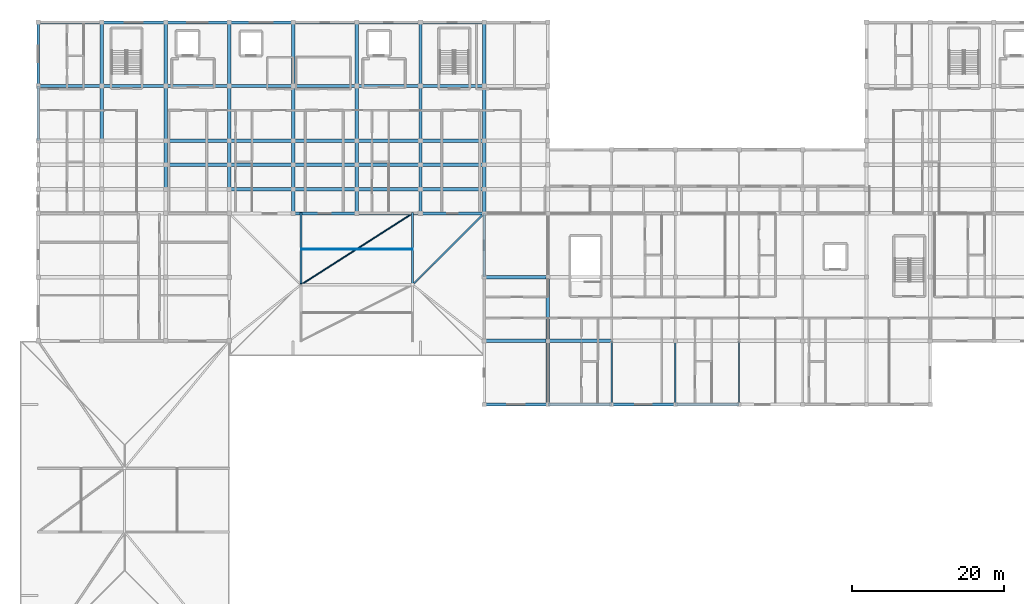
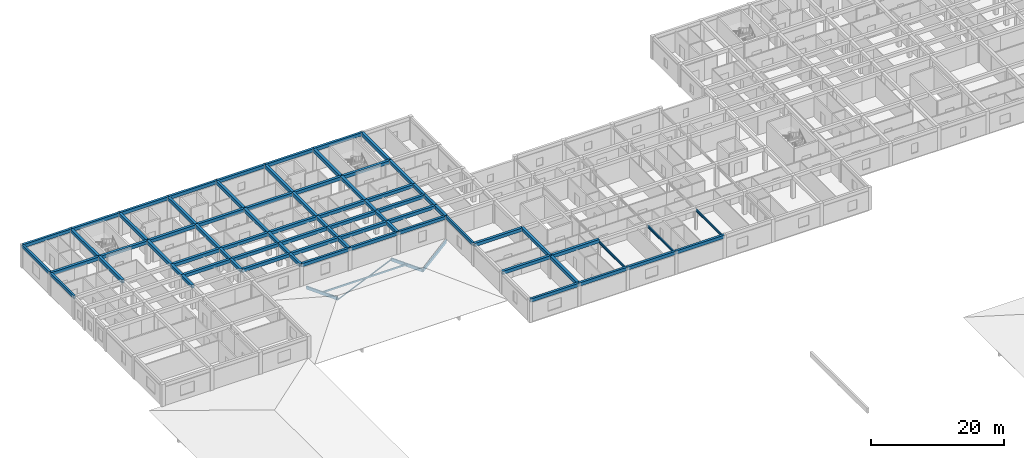
# One storey, part 7 of 42: 76 beams, 5 members.
"""IFC4 building model written with IfcOpenShell, lengths in metres."""

from ifc_helpers import new_model, si_unit, direction, frame, origin, origin_2d, place, context, subcontext, project, spatial, rectangle, hollow_circle, i_section, extrude, material, material_profile, profile_set, type_object, element, save


model = new_model("IFC4")

# Units and contexts
model_context = context("Model", 3, precision=1e-05, world=origin(), true_north=direction((0.0, 1.0)))
body_context = subcontext(model_context, "Body", "Model", "MODEL_VIEW")
ifc_project = project(units=[si_unit("LENGTHUNIT", "METRE"), si_unit("AREAUNIT", "SQUARE_METRE"), si_unit("VOLUMEUNIT", "CUBIC_METRE"), si_unit("PLANEANGLEUNIT", "RADIAN"), si_unit("MASSUNIT", "GRAM", prefix="KILO")], contexts=[model_context])

# Site, building, storey
site_placement = place(None, origin())
site = spatial("IfcSite", under=ifc_project, at=site_placement, CompositionType="ELEMENT")
building_placement = place(site_placement, origin())
building = spatial("IfcBuilding", under=site, at=building_placement, Name="Varncliffe General Hospital", CompositionType="ELEMENT")
storey_placement = place(building_placement, frame((0.0, 0.0, 20.39990234375)))
storey = spatial("IfcBuildingStorey", under=building, at=storey_placement, Name="L04", CompositionType="ELEMENT", Elevation=20.39990234375)

# Beams
ifc_material_1 = material(Name="Steel S355 (CSA G40.21 350W)", Category="steel")
ifc_material_profile_1 = material_profile(ifc_material_1, i_section(OverallWidth=0.179931640625, OverallDepth=0.4130859375, WebThickness=0.009765625, FlangeThickness=0.01611328125, FilletRadius=0.011962890625, at=origin_2d()), Name="W410x74")
ifc_profile_set_1 = profile_set([ifc_material_profile_1], Name="Steel S355 (CSA G40.21 350W)")
beam_type_1 = type_object("IfcBeamType", Name="Beam B11 (Int W410x74)", PredefinedType="BEAM", material=ifc_profile_set_1)
for number, where, z_axis, x_axis, name in (
    (1, (75.60009765625, 74.39990234375, 3.633544921875), (0.0, 1.0, 0.0), (-1.0, 0.0, 0.0), "L04 Primary Beam B11-233"),
    (2, (84.0, 74.39990234375, 3.633544921875), (0.0, 1.0, 0.0), (-1.0, 0.0, 0.0), "L04 Primary Beam B11-238"),
    (3, (92.39990234375, 74.39990234375, 3.633544921875), (0.0, 1.0, 0.0), (-1.0, 0.0, 0.0), "L04 Primary Beam B11-243"),
):
    element("IfcBeam", number, at=place(storey_placement, frame(where, z_axis=z_axis, x_axis=x_axis)), inside=storey, type_object=beam_type_1, Name=name, PredefinedType="BEAM", context=body_context, shape_type="SweptSolid", body=[
        extrude(i_section(OverallWidth=0.179931640625, OverallDepth=0.4130859375, WebThickness=0.009765625, FlangeThickness=0.01611328125, FilletRadius=0.011962890625, at=origin_2d()), origin(), (0.0, 0.0, 1.0), 8.400146484375),
    ])
ifc_material_2 = material(Name="Concrete C35/45 (CSA A23.1 35 MPa)", Category="concrete")
ifc_material_profile_2 = material_profile(ifc_material_2, rectangle(XDim=0.449951171875, YDim=0.60009765625, at=origin_2d()), Name="RC 450x600")
ifc_profile_set_2 = profile_set([ifc_material_profile_2], Name="Concrete C35/45 (CSA A23.1 35 MPa)")
beam_type_2 = type_object("IfcBeamType", Name="Beam B47 (Int RC 450x600)", PredefinedType="BEAM", material=ifc_profile_set_2)
beam_1_placement = place(storey_placement, frame((58.800048828125, 82.800048828125, 3.900146484375), z_axis=(1.0, 0.0, 0.0), x_axis=(0.0, 1.0, 0.0)))
element("IfcBeam", 4, at=beam_1_placement, inside=storey, type_object=beam_type_2, Name="L04 Primary Beam B47-35", PredefinedType="BEAM", context=body_context, shape_type="SweptSolid", body=[
    extrude(rectangle(XDim=0.449951171875, YDim=0.60009765625, at=origin_2d()), origin(), (0.0, 0.0, 1.0), 8.39990234375),
])
beam_2_placement = place(storey_placement, frame((67.199951171875, 82.800048828125, 3.900146484375), z_axis=(1.0, 0.0, 0.0), x_axis=(0.0, 1.0, 0.0)))
element("IfcBeam", 5, at=beam_2_placement, inside=storey, type_object=beam_type_2, Name="L04 Primary Beam B47-36", PredefinedType="BEAM", context=body_context, shape_type="SweptSolid", body=[
    extrude(rectangle(XDim=0.449951171875, YDim=0.60009765625, at=origin_2d()), origin(), (0.0, 0.0, 1.0), 8.400146484375),
])
beam_3_placement = place(storey_placement, frame((58.800048828125, 91.199951171875, 3.900146484375), z_axis=(1.0, 0.0, 0.0), x_axis=(0.0, 1.0, 0.0)))
element("IfcBeam", 6, at=beam_3_placement, inside=storey, type_object=beam_type_2, Name="L04 Primary Beam B47-52", PredefinedType="BEAM", context=body_context, shape_type="SweptSolid", body=[
    extrude(rectangle(XDim=0.449951171875, YDim=0.60009765625, at=origin_2d()), origin(), (0.0, 0.0, 1.0), 8.39990234375),
])
beam_4_placement = place(storey_placement, frame((25.199951171875, 102.800048828125, 3.900146484375), z_axis=(1.0, 0.0, 0.0), x_axis=(0.0, 1.0, 0.0)))
element("IfcBeam", 7, at=beam_4_placement, inside=storey, type_object=beam_type_2, Name="L04 Primary Beam B47-89", PredefinedType="BEAM", context=body_context, shape_type="SweptSolid", body=[
    extrude(rectangle(XDim=0.449951171875, YDim=0.60009765625, at=origin_2d()), origin(), (0.0, 0.0, 1.0), 8.400146484375),
])
for number, where, z_axis, x_axis, name in (
    (8, (33.60009765625, 102.800048828125, 3.900146484375), (1.0, 0.0, 0.0), (0.0, 1.0, 0.0), "L04 Primary Beam B47-90"),
    (9, (42.0, 102.800048828125, 3.900146484375), (1.0, 0.0, 0.0), (0.0, 1.0, 0.0), "L04 Primary Beam B47-91"),
):
    element("IfcBeam", number, at=place(storey_placement, frame(where, z_axis=z_axis, x_axis=x_axis)), inside=storey, type_object=beam_type_2, Name=name, PredefinedType="BEAM", context=body_context, shape_type="SweptSolid", body=[
        extrude(rectangle(XDim=0.449951171875, YDim=0.60009765625, at=origin_2d()), origin(), (0.0, 0.0, 1.0), 8.39990234375),
    ])
beam_5_placement = place(storey_placement, frame((50.39990234375, 102.800048828125, 3.900146484375), z_axis=(1.0, 0.0, 0.0), x_axis=(0.0, 1.0, 0.0)))
element("IfcBeam", 10, at=beam_5_placement, inside=storey, type_object=beam_type_2, Name="L04 Primary Beam B47-92", PredefinedType="BEAM", context=body_context, shape_type="SweptSolid", body=[
    extrude(rectangle(XDim=0.449951171875, YDim=0.60009765625, at=origin_2d()), origin(), (0.0, 0.0, 1.0), 8.400146484375),
])
beam_6_placement = place(storey_placement, frame((16.800048828125, 106.0, 3.900146484375), z_axis=(1.0, 0.0, 0.0), x_axis=(0.0, 1.0, 0.0)))
element("IfcBeam", 11, at=beam_6_placement, inside=storey, type_object=beam_type_2, Name="L04 Primary Beam B47-109", PredefinedType="BEAM", context=body_context, shape_type="SweptSolid", body=[
    extrude(rectangle(XDim=0.449951171875, YDim=0.60009765625, at=origin_2d()), origin(), (0.0, 0.0, 1.0), 8.39990234375),
])
beam_7_placement = place(storey_placement, frame((25.199951171875, 106.0, 3.900146484375), z_axis=(1.0, 0.0, 0.0), x_axis=(0.0, 1.0, 0.0)))
element("IfcBeam", 12, at=beam_7_placement, inside=storey, type_object=beam_type_2, Name="L04 Primary Beam B47-110", PredefinedType="BEAM", context=body_context, shape_type="SweptSolid", body=[
    extrude(rectangle(XDim=0.449951171875, YDim=0.60009765625, at=origin_2d()), origin(), (0.0, 0.0, 1.0), 8.400146484375),
])
for number, where, z_axis, x_axis, name in (
    (13, (33.60009765625, 106.0, 3.900146484375), (1.0, 0.0, 0.0), (0.0, 1.0, 0.0), "L04 Primary Beam B47-111"),
    (14, (42.0, 106.0, 3.900146484375), (1.0, 0.0, 0.0), (0.0, 1.0, 0.0), "L04 Primary Beam B47-112"),
):
    element("IfcBeam", number, at=place(storey_placement, frame(where, z_axis=z_axis, x_axis=x_axis)), inside=storey, type_object=beam_type_2, Name=name, PredefinedType="BEAM", context=body_context, shape_type="SweptSolid", body=[
        extrude(rectangle(XDim=0.449951171875, YDim=0.60009765625, at=origin_2d()), origin(), (0.0, 0.0, 1.0), 8.39990234375),
    ])
beam_8_placement = place(storey_placement, frame((50.39990234375, 106.0, 3.900146484375), z_axis=(1.0, 0.0, 0.0), x_axis=(0.0, 1.0, 0.0)))
element("IfcBeam", 15, at=beam_8_placement, inside=storey, type_object=beam_type_2, Name="L04 Primary Beam B47-113", PredefinedType="BEAM", context=body_context, shape_type="SweptSolid", body=[
    extrude(rectangle(XDim=0.449951171875, YDim=0.60009765625, at=origin_2d()), origin(), (0.0, 0.0, 1.0), 8.400146484375),
])
beam_9_placement = place(storey_placement, frame((16.800048828125, 109.199951171875, 3.900146484375), z_axis=(1.0, 0.0, 0.0), x_axis=(0.0, 1.0, 0.0)))
element("IfcBeam", 16, at=beam_9_placement, inside=storey, type_object=beam_type_2, Name="L04 Primary Beam B47-128", PredefinedType="BEAM", context=body_context, shape_type="SweptSolid", body=[
    extrude(rectangle(XDim=0.449951171875, YDim=0.60009765625, at=origin_2d()), origin(), (0.0, 0.0, 1.0), 8.39990234375),
])
beam_10_placement = place(storey_placement, frame((25.199951171875, 109.199951171875, 3.900146484375), z_axis=(1.0, 0.0, 0.0), x_axis=(0.0, 1.0, 0.0)))
element("IfcBeam", 17, at=beam_10_placement, inside=storey, type_object=beam_type_2, Name="L04 Primary Beam B47-129", PredefinedType="BEAM", context=body_context, shape_type="SweptSolid", body=[
    extrude(rectangle(XDim=0.449951171875, YDim=0.60009765625, at=origin_2d()), origin(), (0.0, 0.0, 1.0), 8.400146484375),
])
for number, where, z_axis, x_axis, name in (
    (18, (33.60009765625, 109.199951171875, 3.900146484375), (1.0, 0.0, 0.0), (0.0, 1.0, 0.0), "L04 Primary Beam B47-130"),
    (19, (42.0, 109.199951171875, 3.900146484375), (1.0, 0.0, 0.0), (0.0, 1.0, 0.0), "L04 Primary Beam B47-131"),
):
    element("IfcBeam", number, at=place(storey_placement, frame(where, z_axis=z_axis, x_axis=x_axis)), inside=storey, type_object=beam_type_2, Name=name, PredefinedType="BEAM", context=body_context, shape_type="SweptSolid", body=[
        extrude(rectangle(XDim=0.449951171875, YDim=0.60009765625, at=origin_2d()), origin(), (0.0, 0.0, 1.0), 8.39990234375),
    ])
beam_11_placement = place(storey_placement, frame((50.39990234375, 109.199951171875, 3.900146484375), z_axis=(1.0, 0.0, 0.0), x_axis=(0.0, 1.0, 0.0)))
element("IfcBeam", 20, at=beam_11_placement, inside=storey, type_object=beam_type_2, Name="L04 Primary Beam B47-132", PredefinedType="BEAM", context=body_context, shape_type="SweptSolid", body=[
    extrude(rectangle(XDim=0.449951171875, YDim=0.60009765625, at=origin_2d()), origin(), (0.0, 0.0, 1.0), 8.400146484375),
])
beam_12_placement = place(storey_placement, frame((0.0, 116.39990234375, 3.900146484375), z_axis=(1.0, 0.0, 0.0), x_axis=(0.0, 1.0, 0.0)))
element("IfcBeam", 21, at=beam_12_placement, inside=storey, type_object=beam_type_2, Name="L04 Primary Beam B47-142", PredefinedType="BEAM", context=body_context, shape_type="SweptSolid", body=[
    extrude(rectangle(XDim=0.449951171875, YDim=0.60009765625, at=origin_2d()), origin(), (0.0, 0.0, 1.0), 8.39990234375),
])
beam_13_placement = place(storey_placement, frame((8.39990234375, 116.39990234375, 3.900146484375), z_axis=(1.0, 0.0, 0.0), x_axis=(0.0, 1.0, 0.0)))
element("IfcBeam", 22, at=beam_13_placement, inside=storey, type_object=beam_type_2, Name="L04 Primary Beam B47-143", PredefinedType="BEAM", context=body_context, shape_type="SweptSolid", body=[
    extrude(rectangle(XDim=0.449951171875, YDim=0.60009765625, at=origin_2d()), origin(), (0.0, 0.0, 1.0), 8.400146484375),
])
beam_14_placement = place(storey_placement, frame((16.800048828125, 116.39990234375, 3.900146484375), z_axis=(1.0, 0.0, 0.0), x_axis=(0.0, 1.0, 0.0)))
element("IfcBeam", 23, at=beam_14_placement, inside=storey, type_object=beam_type_2, Name="L04 Primary Beam B47-144", PredefinedType="BEAM", context=body_context, shape_type="SweptSolid", body=[
    extrude(rectangle(XDim=0.449951171875, YDim=0.60009765625, at=origin_2d()), origin(), (0.0, 0.0, 1.0), 8.39990234375),
])
beam_15_placement = place(storey_placement, frame((25.199951171875, 116.39990234375, 3.900146484375), z_axis=(1.0, 0.0, 0.0), x_axis=(0.0, 1.0, 0.0)))
element("IfcBeam", 24, at=beam_15_placement, inside=storey, type_object=beam_type_2, Name="L04 Primary Beam B47-145", PredefinedType="BEAM", context=body_context, shape_type="SweptSolid", body=[
    extrude(rectangle(XDim=0.449951171875, YDim=0.60009765625, at=origin_2d()), origin(), (0.0, 0.0, 1.0), 8.400146484375),
])
for number, where, z_axis, x_axis, name in (
    (25, (33.60009765625, 116.39990234375, 3.900146484375), (1.0, 0.0, 0.0), (0.0, 1.0, 0.0), "L04 Primary Beam B47-146"),
    (26, (42.0, 116.39990234375, 3.900146484375), (1.0, 0.0, 0.0), (0.0, 1.0, 0.0), "L04 Primary Beam B47-147"),
):
    element("IfcBeam", number, at=place(storey_placement, frame(where, z_axis=z_axis, x_axis=x_axis)), inside=storey, type_object=beam_type_2, Name=name, PredefinedType="BEAM", context=body_context, shape_type="SweptSolid", body=[
        extrude(rectangle(XDim=0.449951171875, YDim=0.60009765625, at=origin_2d()), origin(), (0.0, 0.0, 1.0), 8.39990234375),
    ])
beam_16_placement = place(storey_placement, frame((50.39990234375, 116.39990234375, 3.900146484375), z_axis=(1.0, 0.0, 0.0), x_axis=(0.0, 1.0, 0.0)))
element("IfcBeam", 27, at=beam_16_placement, inside=storey, type_object=beam_type_2, Name="L04 Primary Beam B47-148", PredefinedType="BEAM", context=body_context, shape_type="SweptSolid", body=[
    extrude(rectangle(XDim=0.449951171875, YDim=0.60009765625, at=origin_2d()), origin(), (0.0, 0.0, 1.0), 8.400146484375),
])
beam_17_placement = place(storey_placement, frame((8.39990234375, 109.199951171875, 3.900146484375), z_axis=(0.0, 1.0, 0.0), x_axis=(-1.0, 0.0, 0.0)))
element("IfcBeam", 28, at=beam_17_placement, inside=storey, type_object=beam_type_2, Name="L04 Primary Beam B47-186", PredefinedType="BEAM", context=body_context, shape_type="SweptSolid", body=[
    extrude(rectangle(XDim=0.449951171875, YDim=0.60009765625, at=origin_2d()), origin(), (0.0, 0.0, 1.0), 7.199951171875),
])
beam_18_placement = place(storey_placement, frame((8.39990234375, 116.39990234375, 3.900146484375), z_axis=(0.0, 1.0, 0.0), x_axis=(-1.0, 0.0, 0.0)))
element("IfcBeam", 29, at=beam_18_placement, inside=storey, type_object=beam_type_2, Name="L04 Primary Beam B47-187", PredefinedType="BEAM", context=body_context, shape_type="SweptSolid", body=[
    extrude(rectangle(XDim=0.449951171875, YDim=0.60009765625, at=origin_2d()), origin(), (0.0, 0.0, 1.0), 8.400146484375),
])
for number, where, z_axis, x_axis, name in (
    (30, (16.800048828125, 102.800048828125, 3.900146484375), (0.0, 1.0, 0.0), (-1.0, 0.0, 0.0), "L04 Primary Beam B47-191"),
    (31, (16.800048828125, 106.0, 3.900146484375), (0.0, 1.0, 0.0), (-1.0, 0.0, 0.0), "L04 Primary Beam B47-192"),
):
    element("IfcBeam", number, at=place(storey_placement, frame(where, z_axis=z_axis, x_axis=x_axis)), inside=storey, type_object=beam_type_2, Name=name, PredefinedType="BEAM", context=body_context, shape_type="SweptSolid", body=[
        extrude(rectangle(XDim=0.449951171875, YDim=0.60009765625, at=origin_2d()), origin(), (0.0, 0.0, 1.0), 3.199951171875),
    ])
beam_19_placement = place(storey_placement, frame((16.800048828125, 109.199951171875, 3.900146484375), z_axis=(0.0, 1.0, 0.0), x_axis=(-1.0, 0.0, 0.0)))
element("IfcBeam", 32, at=beam_19_placement, inside=storey, type_object=beam_type_2, Name="L04 Primary Beam B47-193", PredefinedType="BEAM", context=body_context, shape_type="SweptSolid", body=[
    extrude(rectangle(XDim=0.449951171875, YDim=0.60009765625, at=origin_2d()), origin(), (0.0, 0.0, 1.0), 7.199951171875),
])
beam_20_placement = place(storey_placement, frame((16.800048828125, 116.39990234375, 3.900146484375), z_axis=(0.0, 1.0, 0.0), x_axis=(-1.0, 0.0, 0.0)))
element("IfcBeam", 33, at=beam_20_placement, inside=storey, type_object=beam_type_2, Name="L04 Primary Beam B47-194", PredefinedType="BEAM", context=body_context, shape_type="SweptSolid", body=[
    extrude(rectangle(XDim=0.449951171875, YDim=0.60009765625, at=origin_2d()), origin(), (0.0, 0.0, 1.0), 8.400146484375),
])
for number, where, z_axis, x_axis, name in (
    (34, (25.199951171875, 102.800048828125, 3.900146484375), (0.0, 1.0, 0.0), (-1.0, 0.0, 0.0), "L04 Primary Beam B47-198"),
    (35, (25.199951171875, 106.0, 3.900146484375), (0.0, 1.0, 0.0), (-1.0, 0.0, 0.0), "L04 Primary Beam B47-199"),
):
    element("IfcBeam", number, at=place(storey_placement, frame(where, z_axis=z_axis, x_axis=x_axis)), inside=storey, type_object=beam_type_2, Name=name, PredefinedType="BEAM", context=body_context, shape_type="SweptSolid", body=[
        extrude(rectangle(XDim=0.449951171875, YDim=0.60009765625, at=origin_2d()), origin(), (0.0, 0.0, 1.0), 3.199951171875),
    ])
beam_21_placement = place(storey_placement, frame((25.199951171875, 109.199951171875, 3.900146484375), z_axis=(0.0, 1.0, 0.0), x_axis=(-1.0, 0.0, 0.0)))
element("IfcBeam", 36, at=beam_21_placement, inside=storey, type_object=beam_type_2, Name="L04 Primary Beam B47-200", PredefinedType="BEAM", context=body_context, shape_type="SweptSolid", body=[
    extrude(rectangle(XDim=0.449951171875, YDim=0.60009765625, at=origin_2d()), origin(), (0.0, 0.0, 1.0), 7.199951171875),
])
beam_22_placement = place(storey_placement, frame((25.199951171875, 116.39990234375, 3.900146484375), z_axis=(0.0, 1.0, 0.0), x_axis=(-1.0, 0.0, 0.0)))
element("IfcBeam", 37, at=beam_22_placement, inside=storey, type_object=beam_type_2, Name="L04 Primary Beam B47-201", PredefinedType="BEAM", context=body_context, shape_type="SweptSolid", body=[
    extrude(rectangle(XDim=0.449951171875, YDim=0.60009765625, at=origin_2d()), origin(), (0.0, 0.0, 1.0), 8.400146484375),
])
for number, where, z_axis, x_axis, name in (
    (38, (33.60009765625, 99.60009765625, 3.900146484375), (0.0, 1.0, 0.0), (-1.0, 0.0, 0.0), "L04 Primary Beam B47-202"),
    (39, (33.60009765625, 102.800048828125, 3.900146484375), (0.0, 1.0, 0.0), (-1.0, 0.0, 0.0), "L04 Primary Beam B47-203"),
    (40, (33.60009765625, 106.0, 3.900146484375), (0.0, 1.0, 0.0), (-1.0, 0.0, 0.0), "L04 Primary Beam B47-204"),
):
    element("IfcBeam", number, at=place(storey_placement, frame(where, z_axis=z_axis, x_axis=x_axis)), inside=storey, type_object=beam_type_2, Name=name, PredefinedType="BEAM", context=body_context, shape_type="SweptSolid", body=[
        extrude(rectangle(XDim=0.449951171875, YDim=0.60009765625, at=origin_2d()), origin(), (0.0, 0.0, 1.0), 3.199951171875),
    ])
beam_23_placement = place(storey_placement, frame((33.60009765625, 109.199951171875, 3.900146484375), z_axis=(0.0, 1.0, 0.0), x_axis=(-1.0, 0.0, 0.0)))
element("IfcBeam", 41, at=beam_23_placement, inside=storey, type_object=beam_type_2, Name="L04 Primary Beam B47-205", PredefinedType="BEAM", context=body_context, shape_type="SweptSolid", body=[
    extrude(rectangle(XDim=0.449951171875, YDim=0.60009765625, at=origin_2d()), origin(), (0.0, 0.0, 1.0), 7.199951171875),
])
beam_24_placement = place(storey_placement, frame((33.60009765625, 116.39990234375, 3.900146484375), z_axis=(0.0, 1.0, 0.0), x_axis=(-1.0, 0.0, 0.0)))
element("IfcBeam", 42, at=beam_24_placement, inside=storey, type_object=beam_type_2, Name="L04 Primary Beam B47-206", PredefinedType="BEAM", context=body_context, shape_type="SweptSolid", body=[
    extrude(rectangle(XDim=0.449951171875, YDim=0.60009765625, at=origin_2d()), origin(), (0.0, 0.0, 1.0), 8.400146484375),
])
for number, where, z_axis, x_axis, name in (
    (43, (42.0, 99.60009765625, 3.900146484375), (0.0, 1.0, 0.0), (-1.0, 0.0, 0.0), "L04 Primary Beam B47-207"),
    (44, (42.0, 102.800048828125, 3.900146484375), (0.0, 1.0, 0.0), (-1.0, 0.0, 0.0), "L04 Primary Beam B47-208"),
    (45, (42.0, 106.0, 3.900146484375), (0.0, 1.0, 0.0), (-1.0, 0.0, 0.0), "L04 Primary Beam B47-209"),
):
    element("IfcBeam", number, at=place(storey_placement, frame(where, z_axis=z_axis, x_axis=x_axis)), inside=storey, type_object=beam_type_2, Name=name, PredefinedType="BEAM", context=body_context, shape_type="SweptSolid", body=[
        extrude(rectangle(XDim=0.449951171875, YDim=0.60009765625, at=origin_2d()), origin(), (0.0, 0.0, 1.0), 3.199951171875),
    ])
beam_25_placement = place(storey_placement, frame((42.0, 109.199951171875, 3.900146484375), z_axis=(0.0, 1.0, 0.0), x_axis=(-1.0, 0.0, 0.0)))
element("IfcBeam", 46, at=beam_25_placement, inside=storey, type_object=beam_type_2, Name="L04 Primary Beam B47-210", PredefinedType="BEAM", context=body_context, shape_type="SweptSolid", body=[
    extrude(rectangle(XDim=0.449951171875, YDim=0.60009765625, at=origin_2d()), origin(), (0.0, 0.0, 1.0), 7.199951171875),
])
beam_26_placement = place(storey_placement, frame((42.0, 116.39990234375, 3.900146484375), z_axis=(0.0, 1.0, 0.0), x_axis=(-1.0, 0.0, 0.0)))
element("IfcBeam", 47, at=beam_26_placement, inside=storey, type_object=beam_type_2, Name="L04 Primary Beam B47-211", PredefinedType="BEAM", context=body_context, shape_type="SweptSolid", body=[
    extrude(rectangle(XDim=0.449951171875, YDim=0.60009765625, at=origin_2d()), origin(), (0.0, 0.0, 1.0), 8.400146484375),
])
for number, where, z_axis, x_axis, name in (
    (48, (50.39990234375, 99.60009765625, 3.900146484375), (0.0, 1.0, 0.0), (-1.0, 0.0, 0.0), "L04 Primary Beam B47-212"),
    (49, (50.39990234375, 102.800048828125, 3.900146484375), (0.0, 1.0, 0.0), (-1.0, 0.0, 0.0), "L04 Primary Beam B47-213"),
    (50, (50.39990234375, 106.0, 3.900146484375), (0.0, 1.0, 0.0), (-1.0, 0.0, 0.0), "L04 Primary Beam B47-214"),
):
    element("IfcBeam", number, at=place(storey_placement, frame(where, z_axis=z_axis, x_axis=x_axis)), inside=storey, type_object=beam_type_2, Name=name, PredefinedType="BEAM", context=body_context, shape_type="SweptSolid", body=[
        extrude(rectangle(XDim=0.449951171875, YDim=0.60009765625, at=origin_2d()), origin(), (0.0, 0.0, 1.0), 3.199951171875),
    ])
beam_27_placement = place(storey_placement, frame((50.39990234375, 109.199951171875, 3.900146484375), z_axis=(0.0, 1.0, 0.0), x_axis=(-1.0, 0.0, 0.0)))
element("IfcBeam", 51, at=beam_27_placement, inside=storey, type_object=beam_type_2, Name="L04 Primary Beam B47-215", PredefinedType="BEAM", context=body_context, shape_type="SweptSolid", body=[
    extrude(rectangle(XDim=0.449951171875, YDim=0.60009765625, at=origin_2d()), origin(), (0.0, 0.0, 1.0), 7.199951171875),
])
beam_28_placement = place(storey_placement, frame((50.39990234375, 116.39990234375, 3.900146484375), z_axis=(0.0, 1.0, 0.0), x_axis=(-1.0, 0.0, 0.0)))
element("IfcBeam", 52, at=beam_28_placement, inside=storey, type_object=beam_type_2, Name="L04 Primary Beam B47-216", PredefinedType="BEAM", context=body_context, shape_type="SweptSolid", body=[
    extrude(rectangle(XDim=0.449951171875, YDim=0.60009765625, at=origin_2d()), origin(), (0.0, 0.0, 1.0), 8.400146484375),
])
for number, where, z_axis, x_axis, name in (
    (53, (58.800048828125, 99.60009765625, 3.900146484375), (0.0, 1.0, 0.0), (-1.0, 0.0, 0.0), "L04 Primary Beam B47-220"),
    (54, (58.800048828125, 102.800048828125, 3.900146484375), (0.0, 1.0, 0.0), (-1.0, 0.0, 0.0), "L04 Primary Beam B47-221"),
    (55, (58.800048828125, 106.0, 3.900146484375), (0.0, 1.0, 0.0), (-1.0, 0.0, 0.0), "L04 Primary Beam B47-222"),
):
    element("IfcBeam", number, at=place(storey_placement, frame(where, z_axis=z_axis, x_axis=x_axis)), inside=storey, type_object=beam_type_2, Name=name, PredefinedType="BEAM", context=body_context, shape_type="SweptSolid", body=[
        extrude(rectangle(XDim=0.449951171875, YDim=0.60009765625, at=origin_2d()), origin(), (0.0, 0.0, 1.0), 3.199951171875),
    ])
beam_29_placement = place(storey_placement, frame((58.800048828125, 109.199951171875, 3.900146484375), z_axis=(0.0, 1.0, 0.0), x_axis=(-1.0, 0.0, 0.0)))
element("IfcBeam", 56, at=beam_29_placement, inside=storey, type_object=beam_type_2, Name="L04 Primary Beam B47-223", PredefinedType="BEAM", context=body_context, shape_type="SweptSolid", body=[
    extrude(rectangle(XDim=0.449951171875, YDim=0.60009765625, at=origin_2d()), origin(), (0.0, 0.0, 1.0), 7.199951171875),
])
for number, where, z_axis, x_axis, name in (
    (57, (58.800048828125, 116.39990234375, 3.900146484375), (0.0, 1.0, 0.0), (-1.0, 0.0, 0.0), "L04 Primary Beam B47-224"),
    (58, (67.199951171875, 74.39990234375, 3.900146484375), (0.0, 1.0, 0.0), (-1.0, 0.0, 0.0), "L04 Primary Beam B47-225"),
):
    element("IfcBeam", number, at=place(storey_placement, frame(where, z_axis=z_axis, x_axis=x_axis)), inside=storey, type_object=beam_type_2, Name=name, PredefinedType="BEAM", context=body_context, shape_type="SweptSolid", body=[
        extrude(rectangle(XDim=0.449951171875, YDim=0.60009765625, at=origin_2d()), origin(), (0.0, 0.0, 1.0), 8.400146484375),
    ])
beam_30_placement = place(storey_placement, frame((67.199951171875, 82.800048828125, 3.900146484375), z_axis=(0.0, 1.0, 0.0), x_axis=(-1.0, 0.0, 0.0)))
element("IfcBeam", 59, at=beam_30_placement, inside=storey, type_object=beam_type_2, Name="L04 Primary Beam B47-226", PredefinedType="BEAM", context=body_context, shape_type="SweptSolid", body=[
    extrude(rectangle(XDim=0.449951171875, YDim=0.60009765625, at=origin_2d()), origin(), (0.0, 0.0, 1.0), 8.39990234375),
])

# Members
ifc_material_profile_3 = material_profile(ifc_material_1, hollow_circle(Radius=0.109619140625, WallThickness=0.00830078125, at=origin_2d()), Name="CHS 219x8.2")
ifc_profile_set_3 = profile_set([ifc_material_profile_3], Name="Steel S355 (CSA G40.21 350W)")
member_type_1 = type_object("IfcMemberType", Name="Member MB17 (BRACE Int CHS 219x8.2)", PredefinedType="BRACE", material=ifc_profile_set_3)
member_1_placement = place(storey_placement, frame((49.35009765625, 99.60009765625, -0.583740234375), z_axis=(-0.8261452537, -0.528284572896, 0.195957724596), x_axis=(0.538729270402, -0.842478945263, 0.0)))
element("IfcMember", 60, at=member_1_placement, inside=storey, type_object=member_type_1, Name="L04 RF-V3-N Lateral Wind Brace 2", PredefinedType="BRACE", context=body_context, shape_type="SweptSolid", body=[
    extrude(hollow_circle(Radius=0.109619140625, WallThickness=0.00830078125, at=origin_2d()), origin(), (0.0, 0.0, 1.0), 17.793701171875),
])
ifc_material_3 = material(Name="Glulam GL28h (CSA O86 24f-EX, 30 MPa)", Category="wood")
ifc_material_profile_4 = material_profile(ifc_material_3, rectangle(XDim=0.1298828125, YDim=0.303955078125, at=origin_2d()), Name="GL 130x304")
ifc_profile_set_4 = profile_set([ifc_material_profile_4], Name="Glulam GL28h (CSA O86 24f-EX, 30 MPa)")
member_type_2 = type_object("IfcMemberType", Name="Member MB40 (PURLIN Int GL 130x304)", PredefinedType="PURLIN", material=ifc_profile_set_4)
member_2_placement = place(storey_placement, frame((34.64990234375, 94.89990234375, 1.3798828125), z_axis=(1.0, 0.0, 0.0), x_axis=(0.0, 1.0, 0.0)))
element("IfcMember", 61, at=member_2_placement, inside=storey, type_object=member_type_2, Name="L04 RF-V3-N Timber Purlin N1", PredefinedType="PURLIN", context=body_context, shape_type="SweptSolid", body=[
    extrude(rectangle(XDim=0.1298828125, YDim=0.303955078125, at=origin_2d()), origin(), (0.0, 0.0, 1.0), 14.7001953125),
])
ifc_material_profile_5 = material_profile(ifc_material_3, rectangle(XDim=0.215087890625, YDim=0.531982421875, at=origin_2d()), Name="GL 215x532")
ifc_profile_set_5 = profile_set([ifc_material_profile_5], Name="Glulam GL28h (CSA O86 24f-EX, 30 MPa)")
member_type_3 = type_object("IfcMemberType", Name="Member MB62 (RAFTER Int GL 215x532)", PredefinedType="RAFTER", material=ifc_profile_set_5)
member_3_placement = place(storey_placement, frame((58.800048828125, 99.60009765625, -0.57421875), z_axis=(-0.68374793567, -0.680130784618, 0.264406649466), x_axis=(0.705228978822, -0.708979610024, 0.0)))
element("IfcMember", 62, at=member_3_placement, inside=storey, type_object=member_type_3, Name="L04 RF-V3-N Hip Rafter NE", PredefinedType="RAFTER", context=body_context, shape_type="SweptSolid", body=[
    extrude(rectangle(XDim=0.215087890625, YDim=0.531982421875, at=origin_2d()), origin(), (0.0, 0.0, 1.0), 13.76904296875),
])
for number, where, z_axis, x_axis, name in (
    (63, (34.64990234375, 99.60009765625, -0.583740234375), (0.0, -0.932043528924, 0.362346326311), (1.0, 0.0, 0.0), "L04 RF-V3-N North Sloped Glulam Rafter 1"),
    (64, (49.35009765625, 99.60009765625, -0.583740234375), (0.0, -0.932043528924, 0.362346326311), (1.0, 0.0, 0.0), "L04 RF-V3-N North Sloped Glulam Rafter 2"),
):
    element("IfcMember", number, at=place(storey_placement, frame(where, z_axis=z_axis, x_axis=x_axis)), inside=storey, type_object=member_type_3, Name=name, PredefinedType="RAFTER", context=body_context, shape_type="SweptSolid", body=[
        extrude(rectangle(XDim=0.215087890625, YDim=0.531982421875, at=origin_2d()), origin(), (0.0, 0.0, 1.0), 10.02099609375),
    ])

# Beams
ifc_material_profile_6 = material_profile(ifc_material_2, rectangle(XDim=0.35009765625, YDim=0.550048828125, at=origin_2d()), Name="RC 350x550")
ifc_profile_set_6 = profile_set([ifc_material_profile_6], Name="Concrete C35/45 (CSA A23.1 35 MPa)")
beam_type_3 = type_object("IfcBeamType", Name="Spandrel SP20 (Ext RC 350x550)", PredefinedType="SPANDREL", material=ifc_profile_set_6)
beam_31_placement = place(storey_placement, frame((0.0, 109.199951171875, 3.925048828125), z_axis=(0.0, 1.0, 0.0), x_axis=(-1.0, 0.0, 0.0)))
element("IfcBeam", 65, at=beam_31_placement, inside=storey, type_object=beam_type_3, Name="L04 Spandrel Beam SP20-179", PredefinedType="SPANDREL", context=body_context, shape_type="SweptSolid", body=[
    extrude(rectangle(XDim=0.35009765625, YDim=0.550048828125, at=origin_2d()), origin(), (0.0, 0.0, 1.0), 7.199951171875),
])
for number, where, z_axis, x_axis, name in (
    (66, (0.0, 116.39990234375, 3.925048828125), (0.0, 1.0, 0.0), (-1.0, 0.0, 0.0), "L04 Spandrel Beam SP20-180"),
    (67, (58.800048828125, 91.199951171875, 3.925048828125), (0.0, 1.0, 0.0), (-1.0, 0.0, 0.0), "L04 Spandrel Beam SP20-219"),
):
    element("IfcBeam", number, at=place(storey_placement, frame(where, z_axis=z_axis, x_axis=x_axis)), inside=storey, type_object=beam_type_3, Name=name, PredefinedType="SPANDREL", context=body_context, shape_type="SweptSolid", body=[
        extrude(rectangle(XDim=0.35009765625, YDim=0.550048828125, at=origin_2d()), origin(), (0.0, 0.0, 1.0), 8.400146484375),
    ])
ifc_material_profile_7 = material_profile(ifc_material_2, rectangle(XDim=0.39990234375, YDim=0.60009765625, at=origin_2d()), Name="RC 400x600")
ifc_profile_set_7 = profile_set([ifc_material_profile_7], Name="Concrete C35/45 (CSA A23.1 35 MPa)")
beam_type_4 = type_object("IfcBeamType", Name="Spandrel SP58 (Ext RC 400x600B)", PredefinedType="SPANDREL", material=ifc_profile_set_7)
beam_32_placement = place(storey_placement, frame((58.800048828125, 74.39990234375, 3.900146484375), z_axis=(1.0, 0.0, 0.0), x_axis=(0.0, 1.0, 0.0)))
element("IfcBeam", 68, at=beam_32_placement, inside=storey, type_object=beam_type_4, Name="L04 Spandrel Beam SP58-22", PredefinedType="SPANDREL", context=body_context, shape_type="SweptSolid", body=[
    extrude(rectangle(XDim=0.39990234375, YDim=0.60009765625, at=origin_2d()), origin(), (0.0, 0.0, 1.0), 8.39990234375),
])
beam_33_placement = place(storey_placement, frame((67.199951171875, 74.39990234375, 3.900146484375), z_axis=(1.0, 0.0, 0.0), x_axis=(0.0, 1.0, 0.0)))
element("IfcBeam", 69, at=beam_33_placement, inside=storey, type_object=beam_type_4, Name="L04 Spandrel Beam SP58-23", PredefinedType="SPANDREL", context=body_context, shape_type="SweptSolid", body=[
    extrude(rectangle(XDim=0.39990234375, YDim=0.60009765625, at=origin_2d()), origin(), (0.0, 0.0, 1.0), 8.400146484375),
])
for number, where, z_axis, x_axis, name in (
    (70, (75.60009765625, 74.39990234375, 3.900146484375), (1.0, 0.0, 0.0), (0.0, 1.0, 0.0), "L04 Spandrel Beam SP58-24"),
    (71, (84.0, 74.39990234375, 3.900146484375), (1.0, 0.0, 0.0), (0.0, 1.0, 0.0), "L04 Spandrel Beam SP58-25"),
    (72, (33.60009765625, 99.60009765625, 3.900146484375), (1.0, 0.0, 0.0), (0.0, 1.0, 0.0), "L04 Spandrel Beam SP58-69"),
    (73, (42.0, 99.60009765625, 3.900146484375), (1.0, 0.0, 0.0), (0.0, 1.0, 0.0), "L04 Spandrel Beam SP58-70"),
):
    element("IfcBeam", number, at=place(storey_placement, frame(where, z_axis=z_axis, x_axis=x_axis)), inside=storey, type_object=beam_type_4, Name=name, PredefinedType="SPANDREL", context=body_context, shape_type="SweptSolid", body=[
        extrude(rectangle(XDim=0.39990234375, YDim=0.60009765625, at=origin_2d()), origin(), (0.0, 0.0, 1.0), 8.39990234375),
    ])
beam_34_placement = place(storey_placement, frame((50.39990234375, 99.60009765625, 3.900146484375), z_axis=(1.0, 0.0, 0.0), x_axis=(0.0, 1.0, 0.0)))
element("IfcBeam", 74, at=beam_34_placement, inside=storey, type_object=beam_type_4, Name="L04 Spandrel Beam SP58-71", PredefinedType="SPANDREL", context=body_context, shape_type="SweptSolid", body=[
    extrude(rectangle(XDim=0.39990234375, YDim=0.60009765625, at=origin_2d()), origin(), (0.0, 0.0, 1.0), 8.400146484375),
])
beam_35_placement = place(storey_placement, frame((0.0, 124.800048828125, 3.900146484375), z_axis=(1.0, 0.0, 0.0), x_axis=(0.0, 1.0, 0.0)))
element("IfcBeam", 75, at=beam_35_placement, inside=storey, type_object=beam_type_4, Name="L04 Spandrel Beam SP58-158", PredefinedType="SPANDREL", context=body_context, shape_type="SweptSolid", body=[
    extrude(rectangle(XDim=0.39990234375, YDim=0.60009765625, at=origin_2d()), origin(), (0.0, 0.0, 1.0), 8.39990234375),
])
beam_36_placement = place(storey_placement, frame((8.39990234375, 124.800048828125, 3.900146484375), z_axis=(1.0, 0.0, 0.0), x_axis=(0.0, 1.0, 0.0)))
element("IfcBeam", 76, at=beam_36_placement, inside=storey, type_object=beam_type_4, Name="L04 Spandrel Beam SP58-159", PredefinedType="SPANDREL", context=body_context, shape_type="SweptSolid", body=[
    extrude(rectangle(XDim=0.39990234375, YDim=0.60009765625, at=origin_2d()), origin(), (0.0, 0.0, 1.0), 8.400146484375),
])
beam_37_placement = place(storey_placement, frame((16.800048828125, 124.800048828125, 3.900146484375), z_axis=(1.0, 0.0, 0.0), x_axis=(0.0, 1.0, 0.0)))
element("IfcBeam", 77, at=beam_37_placement, inside=storey, type_object=beam_type_4, Name="L04 Spandrel Beam SP58-160", PredefinedType="SPANDREL", context=body_context, shape_type="SweptSolid", body=[
    extrude(rectangle(XDim=0.39990234375, YDim=0.60009765625, at=origin_2d()), origin(), (0.0, 0.0, 1.0), 8.39990234375),
])
beam_38_placement = place(storey_placement, frame((25.199951171875, 124.800048828125, 3.900146484375), z_axis=(1.0, 0.0, 0.0), x_axis=(0.0, 1.0, 0.0)))
element("IfcBeam", 78, at=beam_38_placement, inside=storey, type_object=beam_type_4, Name="L04 Spandrel Beam SP58-161", PredefinedType="SPANDREL", context=body_context, shape_type="SweptSolid", body=[
    extrude(rectangle(XDim=0.39990234375, YDim=0.60009765625, at=origin_2d()), origin(), (0.0, 0.0, 1.0), 8.400146484375),
])
for number, where, z_axis, x_axis, name in (
    (79, (33.60009765625, 124.800048828125, 3.900146484375), (1.0, 0.0, 0.0), (0.0, 1.0, 0.0), "L04 Spandrel Beam SP58-162"),
    (80, (42.0, 124.800048828125, 3.900146484375), (1.0, 0.0, 0.0), (0.0, 1.0, 0.0), "L04 Spandrel Beam SP58-163"),
):
    element("IfcBeam", number, at=place(storey_placement, frame(where, z_axis=z_axis, x_axis=x_axis)), inside=storey, type_object=beam_type_4, Name=name, PredefinedType="SPANDREL", context=body_context, shape_type="SweptSolid", body=[
        extrude(rectangle(XDim=0.39990234375, YDim=0.60009765625, at=origin_2d()), origin(), (0.0, 0.0, 1.0), 8.39990234375),
    ])
beam_39_placement = place(storey_placement, frame((50.39990234375, 124.800048828125, 3.900146484375), z_axis=(1.0, 0.0, 0.0), x_axis=(0.0, 1.0, 0.0)))
element("IfcBeam", 81, at=beam_39_placement, inside=storey, type_object=beam_type_4, Name="L04 Spandrel Beam SP58-164", PredefinedType="SPANDREL", context=body_context, shape_type="SweptSolid", body=[
    extrude(rectangle(XDim=0.39990234375, YDim=0.60009765625, at=origin_2d()), origin(), (0.0, 0.0, 1.0), 8.400146484375),
])

save(model, "model.ifc")
